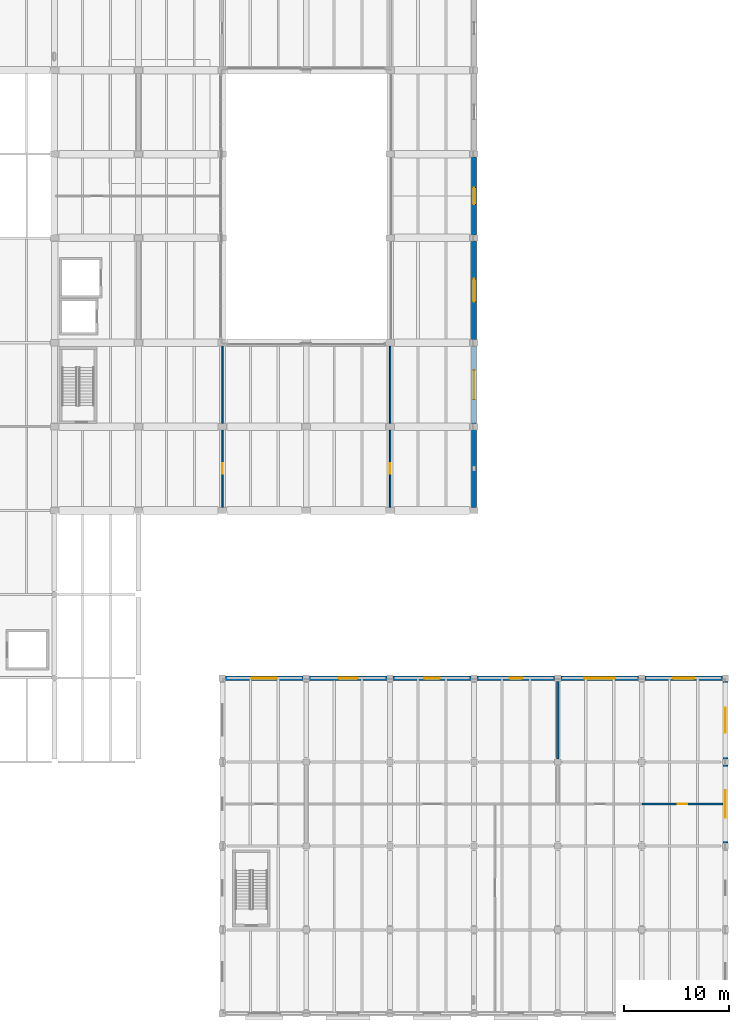
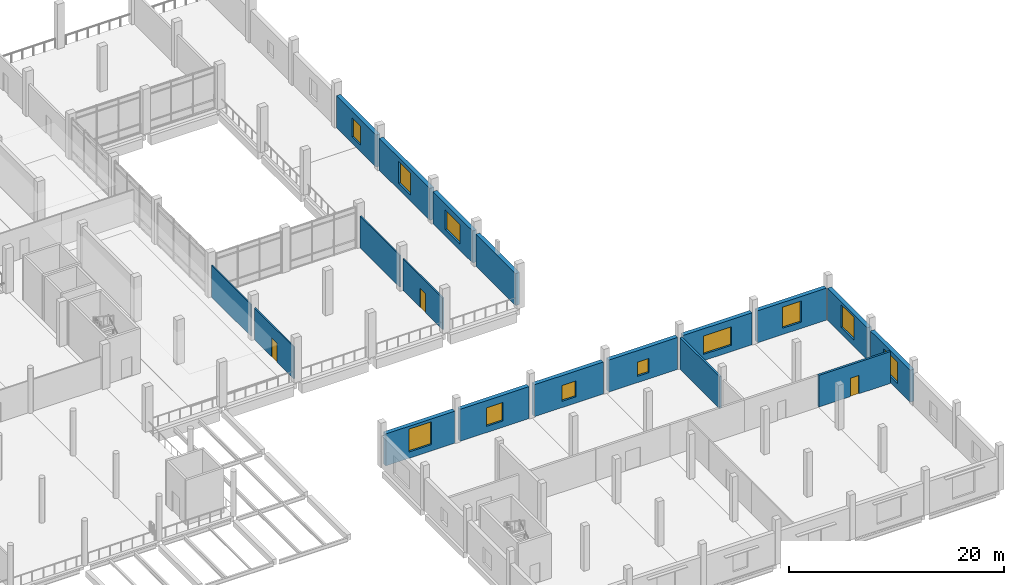
# One storey, part 39 of 61: 18 walls, 11 windows, 3 doors, 14 openings.
"""IFC4 building model written with IfcOpenShell, lengths in metres."""

from ifc_helpers import new_model, si_unit, direction, frame, frame_2d, origin, place, context, subcontext, project, spatial, rectangle, extrude, material, layer, layer_set, type_object, element, fill, save


model = new_model("IFC4")

# Units and contexts
model_context = context("Model", 3, precision=1e-05, world=origin(), true_north=direction((0.0, 1.0)))
body_context = subcontext(model_context, "Body", "Model", "MODEL_VIEW")
ifc_project = project(units=[si_unit("LENGTHUNIT", "METRE"), si_unit("AREAUNIT", "SQUARE_METRE"), si_unit("VOLUMEUNIT", "CUBIC_METRE"), si_unit("PLANEANGLEUNIT", "RADIAN"), si_unit("MASSUNIT", "GRAM", prefix="KILO")], contexts=[model_context])

# Site, building, storey
site_placement = place(None, origin())
site = spatial("IfcSite", under=ifc_project, at=site_placement, CompositionType="ELEMENT")
building_placement = place(site_placement, origin())
building = spatial("IfcBuilding", under=site, at=building_placement, Name="Pecanmere Concourse Central Library", CompositionType="ELEMENT")
storey_placement = place(building_placement, frame((0.0, 0.0, 5.39990234375)))
storey = spatial("IfcBuildingStorey", under=building, at=storey_placement, Name="L02", CompositionType="ELEMENT", Elevation=5.39990234375)

# Wall, opening, window
ifc_material_1 = material(Name="Texas cream limestone ashlar masonry", Category="masonry")
ifc_layer_1 = layer(ifc_material_1, 0.43994140625, Name="EW_LIME_440")
ifc_layer_set_1 = layer_set([ifc_layer_1], Name="Texas cream limestone ashlar masonry")
wall_type_1 = type_object("IfcWallType", Name="EW_LIME_440", PredefinedType="STANDARD", material=ifc_layer_set_1)
wall_1_placement = place(storey_placement, frame((135.705078125, 32.0, 0.0), z_axis=(0.0, 0.0, 1.0), x_axis=(-1.0, 0.0, 0.0)))
wall_1 = element("IfcWall", 1, at=wall_1_placement, inside=storey, type_object=wall_type_1, Name="Limestone Facade Wall L02-0071", PredefinedType="STANDARD", context=body_context, shape_type="SweptSolid", body=[
    extrude(rectangle(XDim=7.41015625, YDim=0.43994140625, at=frame_2d((3.705078125, 0.0))), origin(), (0.0, 0.0, 1.0), 3.64013671875),
])
opening_1_placement = place(wall_1_placement, frame((2.5048828125, 0.0, 0.719970703125)))
opening_1 = element("IfcOpeningElement", 2, at=opening_1_placement, cuts=wall_1, Name="Opening WN-01", PredefinedType="OPENING", context=body_context, shape_type="SweptSolid", body=[
    extrude(rectangle(XDim=2.39990234375, YDim=2.60009765625, at=frame_2d((1.199951171875, 1.300048828125))), frame((0.0, 0.23193359375, 0.0), z_axis=(0.0, -1.0, 0.0), x_axis=(1.0, 0.0, 0.0)), (0.0, 0.0, 1.0), 0.4638671875),
])
ifc_material_2 = material(Name="Low-iron clear insulated glazing", Category="glass")
window_type_1 = type_object("IfcWindowType", Name="WIN_2400x2600", PartitioningType="SINGLE_PANEL", PredefinedType="WINDOW", material=ifc_material_2)
window_1_placement = place(opening_1_placement, origin())
window_1 = element("IfcWindow", 3, at=window_1_placement, inside=storey, type_object=window_type_1, Name="WN-056", OverallHeight=2.60009765625, OverallWidth=2.39990234375, PartitioningType="SINGLE_PANEL", PredefinedType="WINDOW", context=body_context, shape_type="SweptSolid", body=[
    extrude(rectangle(XDim=2.39990234375, YDim=2.60009765625, at=frame_2d((1.199951171875, 1.300048828125))), frame((0.0, 0.030029296875, 0.0), z_axis=(0.0, -1.0, 0.0), x_axis=(1.0, 0.0, 0.0)), (0.0, 0.0, 1.0), 0.06005859375),
])
fill(opening_1, window_1)

wall_2_placement = place(storey_placement, frame((143.705078125, 32.0, 0.0), z_axis=(0.0, 0.0, 1.0), x_axis=(-1.0, 0.0, 0.0)))
wall_2 = element("IfcWall", 4, at=wall_2_placement, inside=storey, type_object=wall_type_1, Name="Limestone Facade Wall L02-0073", PredefinedType="STANDARD", context=body_context, shape_type="SweptSolid", body=[
    extrude(rectangle(XDim=7.41015625, YDim=0.43994140625, at=frame_2d((3.705078125, 0.0))), origin(), (0.0, 0.0, 1.0), 3.64013671875),
])
opening_2_placement = place(wall_2_placement, frame((2.804931640625, 0.0, 0.719970703125)))
opening_2 = element("IfcOpeningElement", 5, at=opening_2_placement, cuts=wall_2, Name="Opening WN-05", PredefinedType="OPENING", context=body_context, shape_type="SweptSolid", body=[
    extrude(rectangle(XDim=1.800048828125, YDim=2.10009765625, at=frame_2d((0.89990234375, 1.050048828125))), frame((0.0, 0.23193359375, 0.0), z_axis=(0.0, -1.0, 0.0), x_axis=(1.0, 0.0, 0.0)), (0.0, 0.0, 1.0), 0.4638671875),
])
ifc_material_3 = material(Name="Low-iron clear insulated glazing", Category="glass")
window_type_2 = type_object("IfcWindowType", Name="WIN_1800x2100", PartitioningType="SINGLE_PANEL", PredefinedType="WINDOW", material=ifc_material_3)
window_2_placement = place(opening_2_placement, origin())
window_2 = element("IfcWindow", 6, at=window_2_placement, inside=storey, type_object=window_type_2, Name="WN-058", OverallHeight=2.10009765625, OverallWidth=1.800048828125, PartitioningType="SINGLE_PANEL", PredefinedType="WINDOW", context=body_context, shape_type="SweptSolid", body=[
    extrude(rectangle(XDim=1.800048828125, YDim=2.10009765625, at=frame_2d((0.89990234375, 1.050048828125))), frame((0.0, 0.030029296875, 0.0), z_axis=(0.0, -1.0, 0.0), x_axis=(1.0, 0.0, 0.0)), (0.0, 0.0, 1.0), 0.06005859375),
])
fill(opening_2, window_2)

wall_3_placement = place(storey_placement, frame((151.705078125, 32.0, 0.0), z_axis=(0.0, 0.0, 1.0), x_axis=(-1.0, 0.0, 0.0)))
wall_3 = element("IfcWall", 7, at=wall_3_placement, inside=storey, type_object=wall_type_1, Name="Limestone Facade Wall L02-0075", PredefinedType="STANDARD", context=body_context, shape_type="SweptSolid", body=[
    extrude(rectangle(XDim=7.41015625, YDim=0.43994140625, at=frame_2d((3.705078125, 0.0))), origin(), (0.0, 0.0, 1.0), 3.64013671875),
])
opening_3_placement = place(wall_3_placement, frame((2.955078125, 0.0, 0.719970703125)))
opening_3 = element("IfcOpeningElement", 8, at=opening_3_placement, cuts=wall_3, Name="Opening WN-09", PredefinedType="OPENING", context=body_context, shape_type="SweptSolid", body=[
    extrude(rectangle(XDim=1.5, YDim=1.800048828125, at=frame_2d((0.75, 0.89990234375))), frame((0.0, 0.23193359375, 0.0), z_axis=(0.0, -1.0, 0.0), x_axis=(1.0, 0.0, 0.0)), (0.0, 0.0, 1.0), 0.4638671875),
])
ifc_material_4 = material(Name="Low-iron clear insulated glazing", Category="glass")
window_type_3 = type_object("IfcWindowType", Name="WIN_1500x1800", PartitioningType="SINGLE_PANEL", PredefinedType="WINDOW", material=ifc_material_4)
window_3_placement = place(opening_3_placement, origin())
window_3 = element("IfcWindow", 9, at=window_3_placement, inside=storey, type_object=window_type_3, Name="WN-060", OverallHeight=1.800048828125, OverallWidth=1.5, PartitioningType="SINGLE_PANEL", PredefinedType="WINDOW", context=body_context, shape_type="SweptSolid", body=[
    extrude(rectangle(XDim=1.5, YDim=1.800048828125, at=frame_2d((0.75, 0.89990234375))), frame((0.0, 0.030029296875, 0.0), z_axis=(0.0, -1.0, 0.0), x_axis=(1.0, 0.0, 0.0)), (0.0, 0.0, 1.0), 0.06005859375),
])
fill(opening_3, window_3)

wall_4_placement = place(storey_placement, frame((159.705078125, 32.0, 0.0), z_axis=(0.0, 0.0, 1.0), x_axis=(-1.0, 0.0, 0.0)))
wall_4 = element("IfcWall", 10, at=wall_4_placement, inside=storey, type_object=wall_type_1, Name="Limestone Facade Wall L02-0077", PredefinedType="STANDARD", context=body_context, shape_type="SweptSolid", body=[
    extrude(rectangle(XDim=7.41015625, YDim=0.43994140625, at=frame_2d((3.705078125, 0.0))), origin(), (0.0, 0.0, 1.0), 3.64013671875),
])
opening_4_placement = place(wall_4_placement, frame((3.10498046875, 0.0, 0.719970703125)))
opening_4 = element("IfcOpeningElement", 11, at=opening_4_placement, cuts=wall_4, Name="Opening WN-13", PredefinedType="OPENING", context=body_context, shape_type="SweptSolid", body=[
    extrude(rectangle(XDim=1.199951171875, YDim=1.60009765625, at=frame_2d((0.60009765625, 0.800048828125))), frame((0.0, 0.23193359375, 0.0), z_axis=(0.0, -1.0, 0.0), x_axis=(1.0, 0.0, 0.0)), (0.0, 0.0, 1.0), 0.4638671875),
])
ifc_material_5 = material(Name="Low-iron clear insulated glazing", Category="glass")
window_type_4 = type_object("IfcWindowType", Name="WIN_1200x1600", PartitioningType="SINGLE_PANEL", PredefinedType="WINDOW", material=ifc_material_5)
window_4_placement = place(opening_4_placement, origin())
window_4 = element("IfcWindow", 12, at=window_4_placement, inside=storey, type_object=window_type_4, Name="WN-062", OverallHeight=1.60009765625, OverallWidth=1.199951171875, PartitioningType="SINGLE_PANEL", PredefinedType="WINDOW", context=body_context, shape_type="SweptSolid", body=[
    extrude(rectangle(XDim=1.199951171875, YDim=1.60009765625, at=frame_2d((0.60009765625, 0.800048828125))), frame((0.0, 0.030029296875, 0.0), z_axis=(0.0, -1.0, 0.0), x_axis=(1.0, 0.0, 0.0)), (0.0, 0.0, 1.0), 0.06005859375),
])
fill(opening_4, window_4)

wall_5_placement = place(storey_placement, frame((167.705078125, 32.0, 0.0), z_axis=(0.0, 0.0, 1.0), x_axis=(-1.0, 0.0, 0.0)))
wall_5 = element("IfcWall", 13, at=wall_5_placement, inside=storey, type_object=wall_type_1, Name="Limestone Facade Wall L02-0079", PredefinedType="STANDARD", context=body_context, shape_type="SweptSolid", body=[
    extrude(rectangle(XDim=7.41015625, YDim=0.43994140625, at=frame_2d((3.705078125, 0.0))), origin(), (0.0, 0.0, 1.0), 3.64013671875),
])
opening_5_placement = place(wall_5_placement, frame((2.205078125, 0.0, 0.719970703125)))
opening_5 = element("IfcOpeningElement", 14, at=opening_5_placement, cuts=wall_5, Name="Opening WN-17", PredefinedType="OPENING", context=body_context, shape_type="SweptSolid", body=[
    extrude(rectangle(XDim=3.0, YDim=2.10009765625, at=frame_2d((1.5, 1.050048828125))), frame((0.0, 0.23193359375, 0.0), z_axis=(0.0, -1.0, 0.0), x_axis=(1.0, 0.0, 0.0)), (0.0, 0.0, 1.0), 0.4638671875),
])
ifc_material_6 = material(Name="Low-iron clear insulated glazing", Category="glass")
window_type_5 = type_object("IfcWindowType", Name="WIN_3000x2100", PartitioningType="SINGLE_PANEL", PredefinedType="WINDOW", material=ifc_material_6)
window_5_placement = place(opening_5_placement, origin())
window_5 = element("IfcWindow", 15, at=window_5_placement, inside=storey, type_object=window_type_5, Name="WN-064", OverallHeight=2.10009765625, OverallWidth=3.0, PartitioningType="SINGLE_PANEL", PredefinedType="WINDOW", context=body_context, shape_type="SweptSolid", body=[
    extrude(rectangle(XDim=3.0, YDim=2.10009765625, at=frame_2d((1.5, 1.050048828125))), frame((0.0, 0.030029296875, 0.0), z_axis=(0.0, -1.0, 0.0), x_axis=(1.0, 0.0, 0.0)), (0.0, 0.0, 1.0), 0.06005859375),
])
fill(opening_5, window_5)

wall_6_placement = place(storey_placement, frame((175.705078125, 32.0, 0.0), z_axis=(0.0, 0.0, 1.0), x_axis=(-1.0, 0.0, 0.0)))
wall_6 = element("IfcWall", 16, at=wall_6_placement, inside=storey, type_object=wall_type_1, Name="Limestone Facade Wall L02-0081", PredefinedType="STANDARD", context=body_context, shape_type="SweptSolid", body=[
    extrude(rectangle(XDim=7.41015625, YDim=0.43994140625, at=frame_2d((3.705078125, 0.0))), origin(), (0.0, 0.0, 1.0), 3.64013671875),
])
opening_6_placement = place(wall_6_placement, frame((2.705078125, 0.0, 0.719970703125)))
opening_6 = element("IfcOpeningElement", 17, at=opening_6_placement, cuts=wall_6, Name="Opening WN-03", PredefinedType="OPENING", context=body_context, shape_type="SweptSolid", body=[
    extrude(rectangle(XDim=2.0, YDim=2.39990234375, at=frame_2d((1.0, 1.199951171875))), frame((0.0, 0.23193359375, 0.0), z_axis=(0.0, -1.0, 0.0), x_axis=(1.0, 0.0, 0.0)), (0.0, 0.0, 1.0), 0.4638671875),
])
ifc_material_7 = material(Name="Low-iron clear insulated glazing", Category="glass")
window_type_6 = type_object("IfcWindowType", Name="WIN_2000x2400", PartitioningType="SINGLE_PANEL", PredefinedType="WINDOW", material=ifc_material_7)
window_6_placement = place(opening_6_placement, origin())
window_6 = element("IfcWindow", 18, at=window_6_placement, inside=storey, type_object=window_type_6, Name="WN-066", OverallHeight=2.39990234375, OverallWidth=2.0, PartitioningType="SINGLE_PANEL", PredefinedType="WINDOW", context=body_context, shape_type="SweptSolid", body=[
    extrude(rectangle(XDim=2.0, YDim=2.39990234375, at=frame_2d((1.0, 1.199951171875))), frame((0.0, 0.030029296875, 0.0), z_axis=(0.0, -1.0, 0.0), x_axis=(1.0, 0.0, 0.0)), (0.0, 0.0, 1.0), 0.06005859375),
])
fill(opening_6, window_6)

wall_7_placement = place(storey_placement, frame((176.0, 16.294921875, 0.0), z_axis=(0.0, 0.0, 1.0), x_axis=(0.0, 1.0, 0.0)))
wall_7 = element("IfcWall", 19, at=wall_7_placement, inside=storey, type_object=wall_type_1, Name="Limestone Facade Wall L02-0087", PredefinedType="STANDARD", context=body_context, shape_type="SweptSolid", body=[
    extrude(rectangle(XDim=7.41015625, YDim=0.43994140625, at=frame_2d((3.705078125, 0.0))), origin(), (0.0, 0.0, 1.0), 3.64013671875),
])
opening_7_placement = place(wall_7_placement, frame((2.405029296875, 0.0, 0.719970703125)))
opening_7 = element("IfcOpeningElement", 20, at=opening_7_placement, cuts=wall_7, Name="Opening WN-15", PredefinedType="OPENING", context=body_context, shape_type="SweptSolid", body=[
    extrude(rectangle(XDim=2.60009765625, YDim=2.39990234375, at=frame_2d((1.300048828125, 1.199951171875))), frame((0.0, 0.23193359375, 0.0), z_axis=(0.0, -1.0, 0.0), x_axis=(1.0, 0.0, 0.0)), (0.0, 0.0, 1.0), 0.4638671875),
])
ifc_material_8 = material(Name="Low-iron clear insulated glazing", Category="glass")
window_type_7 = type_object("IfcWindowType", Name="WIN_2600x2400", PartitioningType="SINGLE_PANEL", PredefinedType="WINDOW", material=ifc_material_8)
window_7_placement = place(opening_7_placement, origin())
window_7 = element("IfcWindow", 21, at=window_7_placement, inside=storey, type_object=window_type_7, Name="WN-072", OverallHeight=2.39990234375, OverallWidth=2.60009765625, PartitioningType="SINGLE_PANEL", PredefinedType="WINDOW", context=body_context, shape_type="SweptSolid", body=[
    extrude(rectangle(XDim=2.60009765625, YDim=2.39990234375, at=frame_2d((1.300048828125, 1.199951171875))), frame((0.0, 0.030029296875, 0.0), z_axis=(0.0, -1.0, 0.0), x_axis=(1.0, 0.0, 0.0)), (0.0, 0.0, 1.0), 0.06005859375),
])
fill(opening_7, window_7)

wall_8_placement = place(storey_placement, frame((176.0, 24.294921875, 0.0), z_axis=(0.0, 0.0, 1.0), x_axis=(0.0, 1.0, 0.0)))
wall_8 = element("IfcWall", 22, at=wall_8_placement, inside=storey, type_object=wall_type_1, Name="Limestone Facade Wall L02-0089", PredefinedType="STANDARD", context=body_context, shape_type="SweptSolid", body=[
    extrude(rectangle(XDim=7.41015625, YDim=0.43994140625, at=frame_2d((3.705078125, 0.0))), origin(), (0.0, 0.0, 1.0), 3.64013671875),
])
opening_8_placement = place(wall_8_placement, frame((2.5048828125, 0.0, 0.719970703125)))
opening_8 = element("IfcOpeningElement", 23, at=opening_8_placement, cuts=wall_8, Name="Opening WN-01", PredefinedType="OPENING", context=body_context, shape_type="SweptSolid", body=[
    extrude(rectangle(XDim=2.39990234375, YDim=2.60009765625, at=frame_2d((1.199951171875, 1.300048828125))), frame((0.0, 0.23193359375, 0.0), z_axis=(0.0, -1.0, 0.0), x_axis=(1.0, 0.0, 0.0)), (0.0, 0.0, 1.0), 0.4638671875),
])
window_8_placement = place(opening_8_placement, origin())
window_8 = element("IfcWindow", 24, at=window_8_placement, inside=storey, type_object=window_type_1, Name="WN-074", OverallHeight=2.60009765625, OverallWidth=2.39990234375, PartitioningType="SINGLE_PANEL", PredefinedType="WINDOW", context=body_context, shape_type="SweptSolid", body=[
    extrude(rectangle(XDim=2.39990234375, YDim=2.60009765625, at=frame_2d((1.199951171875, 1.300048828125))), frame((0.0, 0.030029296875, 0.0), z_axis=(0.0, -1.0, 0.0), x_axis=(1.0, 0.0, 0.0)), (0.0, 0.0, 1.0), 0.06005859375),
])
fill(opening_8, window_8)

# Wall
wall_9_placement = place(storey_placement, frame((152.0, 48.294921875, 0.0), z_axis=(0.0, 0.0, 1.0), x_axis=(0.0, 1.0, 0.0)))
element("IfcWall", 25, at=wall_9_placement, inside=storey, type_object=wall_type_1, Name="Limestone Facade Wall L02-0143", PredefinedType="STANDARD", context=body_context, shape_type="SweptSolid", body=[
    extrude(rectangle(XDim=7.41015625, YDim=0.43994140625, at=frame_2d((3.705078125, 0.0))), origin(), (0.0, 0.0, 1.0), 3.64013671875),
])

# Wall, opening, window
wall_10_placement = place(storey_placement, frame((152.0, 56.294921875, 0.0), z_axis=(0.0, 0.0, 1.0), x_axis=(0.0, 1.0, 0.0)))
wall_10 = element("IfcWall", 26, at=wall_10_placement, inside=storey, type_object=wall_type_1, Name="Limestone Facade Wall L02-0145", PredefinedType="STANDARD", context=body_context, shape_type="SweptSolid", body=[
    extrude(rectangle(XDim=7.41015625, YDim=0.43994140625, at=frame_2d((3.705078125, 0.0))), origin(), (0.0, 0.0, 1.0), 3.64013671875),
])
opening_9_placement = place(wall_10_placement, frame((2.304931640625, 0.0, 0.719970703125)))
opening_9 = element("IfcOpeningElement", 27, at=opening_9_placement, cuts=wall_10, Name="Opening WN-16", PredefinedType="OPENING", context=body_context, shape_type="SweptSolid", body=[
    extrude(rectangle(XDim=2.800048828125, YDim=2.199951171875, at=frame_2d((1.39990234375, 1.10009765625))), frame((0.0, 0.23193359375, 0.0), z_axis=(0.0, -1.0, 0.0), x_axis=(1.0, 0.0, 0.0)), (0.0, 0.0, 1.0), 0.4638671875),
])
ifc_material_9 = material(Name="Low-iron clear insulated glazing", Category="glass")
window_type_8 = type_object("IfcWindowType", Name="WIN_2800x2200", PartitioningType="SINGLE_PANEL", PredefinedType="WINDOW", material=ifc_material_9)
window_9_placement = place(opening_9_placement, origin())
window_9 = element("IfcWindow", 28, at=window_9_placement, inside=storey, type_object=window_type_8, Name="WN-123", OverallHeight=2.199951171875, OverallWidth=2.800048828125, PartitioningType="SINGLE_PANEL", PredefinedType="WINDOW", context=body_context, shape_type="SweptSolid", body=[
    extrude(rectangle(XDim=2.800048828125, YDim=2.199951171875, at=frame_2d((1.39990234375, 1.10009765625))), frame((0.0, 0.030029296875, 0.0), z_axis=(0.0, -1.0, 0.0), x_axis=(1.0, 0.0, 0.0)), (0.0, 0.0, 1.0), 0.06005859375),
])
fill(opening_9, window_9)

wall_11_placement = place(storey_placement, frame((152.0, 64.294921875, 0.0), z_axis=(0.0, 0.0, 1.0), x_axis=(0.0, 1.0, 0.0)))
wall_11 = element("IfcWall", 29, at=wall_11_placement, inside=storey, type_object=wall_type_1, Name="Limestone Facade Wall L02-0147", PredefinedType="STANDARD", context=body_context, shape_type="SweptSolid", body=[
    extrude(rectangle(XDim=9.41015625, YDim=0.43994140625, at=frame_2d((4.705078125, 0.0))), origin(), (0.0, 0.0, 1.0), 3.64013671875),
])
opening_10_placement = place(wall_11_placement, frame((3.60498046875, 0.0, 0.719970703125)))
opening_10 = element("IfcOpeningElement", 30, at=opening_10_placement, cuts=wall_11, Name="Opening WN-02", PredefinedType="OPENING", context=body_context, shape_type="SweptSolid", body=[
    extrude(rectangle(XDim=2.199951171875, YDim=2.5, at=frame_2d((1.10009765625, 1.25))), frame((0.0, 0.23193359375, 0.0), z_axis=(0.0, -1.0, 0.0), x_axis=(1.0, 0.0, 0.0)), (0.0, 0.0, 1.0), 0.4638671875),
])
ifc_material_10 = material(Name="Low-iron clear insulated glazing", Category="glass")
window_type_9 = type_object("IfcWindowType", Name="WIN_2200x2500", PartitioningType="SINGLE_PANEL", PredefinedType="WINDOW", material=ifc_material_10)
window_10_placement = place(opening_10_placement, origin())
window_10 = element("IfcWindow", 31, at=window_10_placement, inside=storey, type_object=window_type_9, Name="WN-125", OverallHeight=2.5, OverallWidth=2.199951171875, PartitioningType="SINGLE_PANEL", PredefinedType="WINDOW", context=body_context, shape_type="SweptSolid", body=[
    extrude(rectangle(XDim=2.199951171875, YDim=2.5, at=frame_2d((1.10009765625, 1.25))), frame((0.0, 0.030029296875, 0.0), z_axis=(0.0, -1.0, 0.0), x_axis=(1.0, 0.0, 0.0)), (0.0, 0.0, 1.0), 0.06005859375),
])
fill(opening_10, window_10)

wall_12_placement = place(storey_placement, frame((152.0, 74.294921875, 0.0), z_axis=(0.0, 0.0, 1.0), x_axis=(0.0, 1.0, 0.0)))
wall_12 = element("IfcWall", 32, at=wall_12_placement, inside=storey, type_object=wall_type_1, Name="Limestone Facade Wall L02-0149", PredefinedType="STANDARD", context=body_context, shape_type="SweptSolid", body=[
    extrude(rectangle(XDim=7.41015625, YDim=0.43994140625, at=frame_2d((3.705078125, 0.0))), origin(), (0.0, 0.0, 1.0), 3.64013671875),
])
opening_11_placement = place(wall_12_placement, frame((2.905029296875, 0.0, 0.719970703125)))
opening_11 = element("IfcOpeningElement", 33, at=opening_11_placement, cuts=wall_12, Name="Opening WN-06", PredefinedType="OPENING", context=body_context, shape_type="SweptSolid", body=[
    extrude(rectangle(XDim=1.60009765625, YDim=2.199951171875, at=frame_2d((0.800048828125, 1.10009765625))), frame((0.0, 0.23193359375, 0.0), z_axis=(0.0, -1.0, 0.0), x_axis=(1.0, 0.0, 0.0)), (0.0, 0.0, 1.0), 0.4638671875),
])
ifc_material_11 = material(Name="Low-iron clear insulated glazing", Category="glass")
window_type_10 = type_object("IfcWindowType", Name="WIN_1600x2200", PartitioningType="SINGLE_PANEL", PredefinedType="WINDOW", material=ifc_material_11)
window_11_placement = place(opening_11_placement, origin())
window_11 = element("IfcWindow", 34, at=window_11_placement, inside=storey, type_object=window_type_10, Name="WN-127", OverallHeight=2.199951171875, OverallWidth=1.60009765625, PartitioningType="SINGLE_PANEL", PredefinedType="WINDOW", context=body_context, shape_type="SweptSolid", body=[
    extrude(rectangle(XDim=1.60009765625, YDim=2.199951171875, at=frame_2d((0.800048828125, 1.10009765625))), frame((0.0, 0.030029296875, 0.0), z_axis=(0.0, -1.0, 0.0), x_axis=(1.0, 0.0, 0.0)), (0.0, 0.0, 1.0), 0.06005859375),
])
fill(opening_11, window_11)

# Wall, opening, door
ifc_material_12 = material(Name="Fire-rated gypsum board on acoustic steel stud", Category="steel")
ifc_layer_2 = layer(ifc_material_12, 0.135009765625, Name="IW_PART_135")
ifc_layer_set_2 = layer_set([ifc_layer_2], Name="Fire-rated gypsum board on acoustic steel stud")
wall_type_2 = type_object("IfcWallType", Name="IW_PART_135", PredefinedType="PARTITIONING", material=ifc_layer_set_2)
wall_13_placement = place(storey_placement, frame((144.0, 48.31005859375, 0.0), z_axis=(0.0, 0.0, 1.0), x_axis=(0.0, 1.0, 0.0)))
wall_13 = element("IfcWall", 35, at=wall_13_placement, inside=storey, type_object=wall_type_2, Name="Interior Partition L02-0132", PredefinedType="PARTITIONING", context=body_context, shape_type="SweptSolid", body=[
    extrude(rectangle(XDim=7.3798828125, YDim=0.135009765625, at=frame_2d((3.68994140625, 0.0))), origin(), (0.0, 0.0, 1.0), 3.610107421875),
])
opening_12_placement = place(wall_13_placement, frame((3.18994140625, 0.0, 0.0)))
opening_12 = element("IfcOpeningElement", 36, at=opening_12_placement, cuts=wall_13, Name="Opening DT-03", PredefinedType="OPENING", context=body_context, shape_type="SweptSolid", body=[
    extrude(rectangle(XDim=1.0, YDim=2.14990234375, at=frame_2d((0.5, 1.074951171875))), frame((0.0, 0.07958984375, 0.0), z_axis=(0.0, -1.0, 0.0), x_axis=(1.0, 0.0, 0.0)), (0.0, 0.0, 1.0), 0.158935546875),
])
ifc_material_13 = material(Name="Solid white oak architectural joinery")
door_type_1 = type_object("IfcDoorType", Name="DT-03", OperationType="SINGLE_SWING_LEFT", PredefinedType="DOOR", material=ifc_material_13)
door_1_placement = place(opening_12_placement, origin())
door_1 = element("IfcDoor", 37, at=door_1_placement, inside=storey, type_object=door_type_1, Name="D-186", OperationType="SINGLE_SWING_LEFT", OverallHeight=2.14990234375, OverallWidth=1.0, PredefinedType="DOOR", context=body_context, shape_type="SweptSolid", body=[
    extrude(rectangle(XDim=1.0, YDim=2.14990234375, at=frame_2d((0.5, 1.074951171875))), frame((0.0, 0.02490234375, 0.0), z_axis=(0.0, -1.0, 0.0), x_axis=(1.0, 0.0, 0.0)), (0.0, 0.0, 1.0), 0.050048828125),
])
fill(opening_12, door_1)

# Wall
wall_14_placement = place(storey_placement, frame((144.0, 56.31005859375, 0.0), z_axis=(0.0, 0.0, 1.0), x_axis=(0.0, 1.0, 0.0)))
element("IfcWall", 38, at=wall_14_placement, inside=storey, type_object=wall_type_2, Name="Interior Partition L02-0133", PredefinedType="PARTITIONING", context=body_context, shape_type="SweptSolid", body=[
    extrude(rectangle(XDim=7.3798828125, YDim=0.135009765625, at=frame_2d((3.68994140625, 0.0))), origin(), (0.0, 0.0, 1.0), 3.610107421875),
])

# Wall, opening, door
wall_15_placement = place(storey_placement, frame((128.0, 48.31005859375, 0.0), z_axis=(0.0, 0.0, 1.0), x_axis=(0.0, 1.0, 0.0)))
wall_15 = element("IfcWall", 39, at=wall_15_placement, inside=storey, type_object=wall_type_2, Name="Interior Partition L02-0136", PredefinedType="PARTITIONING", context=body_context, shape_type="SweptSolid", body=[
    extrude(rectangle(XDim=7.3798828125, YDim=0.135009765625, at=frame_2d((3.68994140625, 0.0))), origin(), (0.0, 0.0, 1.0), 3.610107421875),
])
opening_13_placement = place(wall_15_placement, frame((3.18994140625, 0.0, 0.0)))
opening_13 = element("IfcOpeningElement", 40, at=opening_13_placement, cuts=wall_15, Name="Opening DT-04", PredefinedType="OPENING", context=body_context, shape_type="SweptSolid", body=[
    extrude(rectangle(XDim=1.0, YDim=2.14990234375, at=frame_2d((0.5, 1.074951171875))), frame((0.0, 0.07958984375, 0.0), z_axis=(0.0, -1.0, 0.0), x_axis=(1.0, 0.0, 0.0)), (0.0, 0.0, 1.0), 0.158935546875),
])
ifc_material_14 = material(Name="Solid white oak architectural joinery")
door_type_2 = type_object("IfcDoorType", Name="DT-04", OperationType="SINGLE_SWING_RIGHT", PredefinedType="DOOR", material=ifc_material_14)
door_2_placement = place(opening_13_placement, origin())
door_2 = element("IfcDoor", 41, at=door_2_placement, inside=storey, type_object=door_type_2, Name="D-188", OperationType="SINGLE_SWING_RIGHT", OverallHeight=2.14990234375, OverallWidth=1.0, PredefinedType="DOOR", context=body_context, shape_type="SweptSolid", body=[
    extrude(rectangle(XDim=1.0, YDim=2.14990234375, at=frame_2d((0.5, 1.074951171875))), frame((0.0, 0.02490234375, 0.0), z_axis=(0.0, -1.0, 0.0), x_axis=(1.0, 0.0, 0.0)), (0.0, 0.0, 1.0), 0.050048828125),
])
fill(opening_13, door_2)

# Wall
wall_16_placement = place(storey_placement, frame((128.0, 56.31005859375, 0.0), z_axis=(0.0, 0.0, 1.0), x_axis=(0.0, 1.0, 0.0)))
element("IfcWall", 42, at=wall_16_placement, inside=storey, type_object=wall_type_2, Name="Interior Partition L02-0137", PredefinedType="PARTITIONING", context=body_context, shape_type="SweptSolid", body=[
    extrude(rectangle(XDim=7.3798828125, YDim=0.135009765625, at=frame_2d((3.68994140625, 0.0))), origin(), (0.0, 0.0, 1.0), 3.610107421875),
])

# Wall, opening, door
ifc_material_15 = material(Name="Concrete masonry unit ASTM C90", Category="masonry")
ifc_layer_3 = layer(ifc_material_15, 0.22509765625, Name="IW_PLUMB_225")
ifc_layer_set_3 = layer_set([ifc_layer_3], Name="Concrete masonry unit ASTM C90")
wall_type_3 = type_object("IfcWallType", Name="IW_PLUMB_225", PredefinedType="PARTITIONING", material=ifc_layer_set_3)
wall_17_placement = place(storey_placement, frame((168.02001953125, 20.0, 0.0), z_axis=(0.0, 0.0, 1.0), x_axis=(1.0, 0.0, 0.0)))
wall_17 = element("IfcWall", 43, at=wall_17_placement, inside=storey, type_object=wall_type_3, Name="Interior Partition L02-0153", PredefinedType="PARTITIONING", context=body_context, shape_type="SweptSolid", body=[
    extrude(rectangle(XDim=7.72998046875, YDim=0.22509765625, at=frame_2d((3.864990234375, 0.0))), origin(), (0.0, 0.0, 1.0), 3.610107421875),
])
opening_14_placement = place(wall_17_placement, frame((3.405029296875, 0.0, 0.0)))
opening_14 = element("IfcOpeningElement", 44, at=opening_14_placement, cuts=wall_17, Name="Opening DT-08", PredefinedType="OPENING", context=body_context, shape_type="SweptSolid", body=[
    extrude(rectangle(XDim=0.919921875, YDim=2.10009765625, at=frame_2d((0.4599609375, 1.050048828125))), frame((0.0, 0.12451171875, 0.0), z_axis=(0.0, -1.0, 0.0), x_axis=(1.0, 0.0, 0.0)), (0.0, 0.0, 1.0), 0.2490234375),
])
ifc_material_16 = material(Name="Solid white oak architectural joinery")
door_type_3 = type_object("IfcDoorType", Name="DT-08", OperationType="SINGLE_SWING_RIGHT", PredefinedType="DOOR", material=ifc_material_16)
door_3_placement = place(opening_14_placement, frame((0.919921875, 0.0, 0.0), z_axis=(0.0, 0.0, 1.0), x_axis=(-1.0, 0.0, 0.0)))
door_3 = element("IfcDoor", 45, at=door_3_placement, inside=storey, type_object=door_type_3, Name="D-197", OperationType="SINGLE_SWING_RIGHT", OverallHeight=2.10009765625, OverallWidth=0.919921875, PredefinedType="DOOR", context=body_context, shape_type="SweptSolid", body=[
    extrude(rectangle(XDim=0.919921875, YDim=2.10009765625, at=frame_2d((0.4599609375, 1.050048828125))), frame((0.0, 0.02490234375, 0.0), z_axis=(0.0, -1.0, 0.0), x_axis=(1.0, 0.0, 0.0)), (0.0, 0.0, 1.0), 0.050048828125),
])
fill(opening_14, door_3)

# Wall
wall_18_placement = place(storey_placement, frame((160.0, 24.31005859375, 0.0), z_axis=(0.0, 0.0, 1.0), x_axis=(0.0, 1.0, 0.0)))
element("IfcWall", 46, at=wall_18_placement, inside=storey, type_object=wall_type_3, Name="Interior Partition L02-0155", PredefinedType="PARTITIONING", context=body_context, shape_type="SweptSolid", body=[
    extrude(rectangle(XDim=7.3798828125, YDim=0.22509765625, at=frame_2d((3.68994140625, 0.0))), origin(), (0.0, 0.0, 1.0), 3.610107421875),
])

save(model, "model.ifc")
